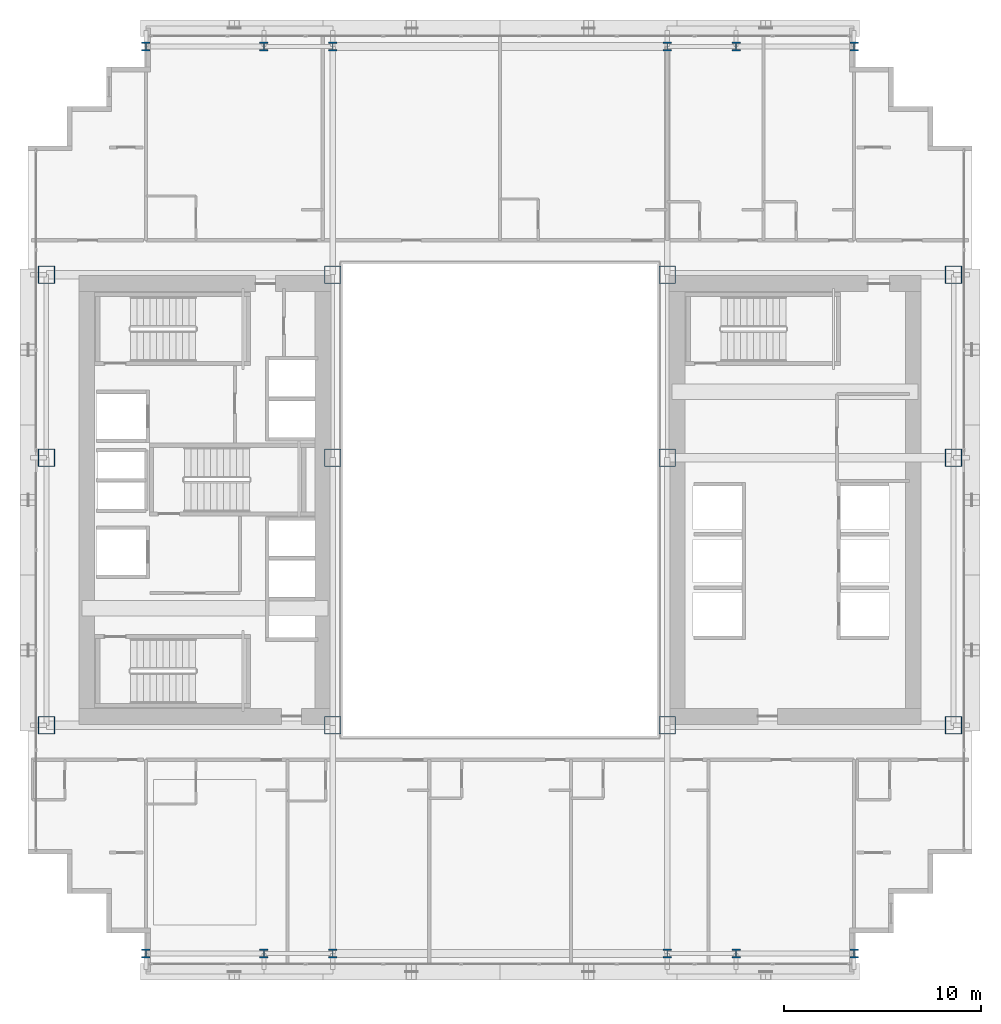
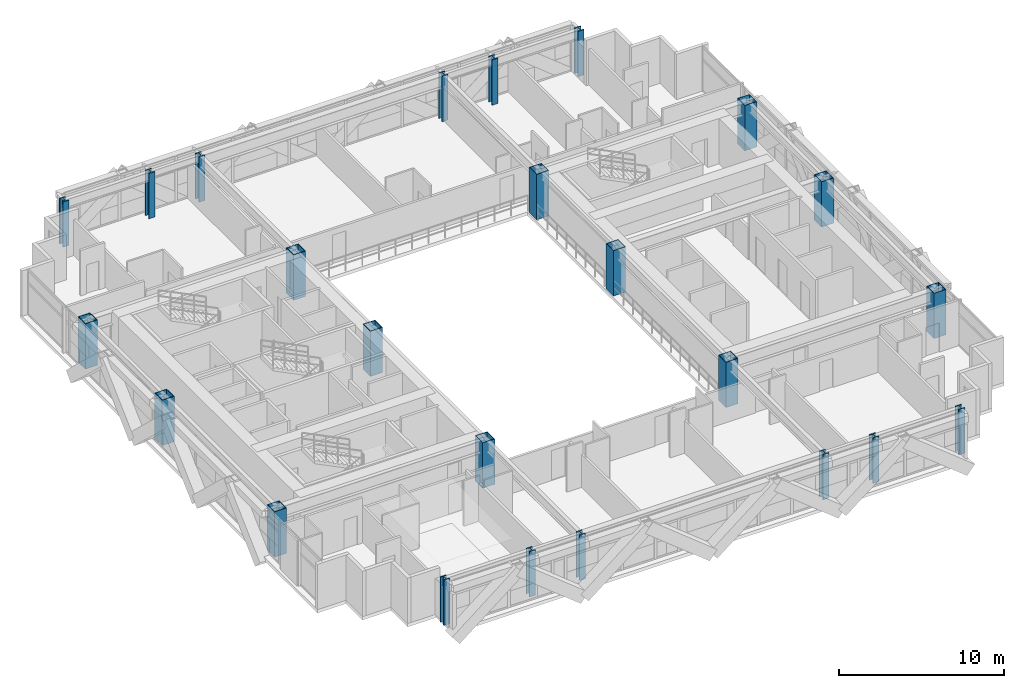
# One storey, part 1 of 35: 24 columns.
"""IFC4 building model written with IfcOpenShell, lengths in metres."""

from ifc_helpers import new_model, si_unit, direction, frame, origin, origin_2d, place, context, subcontext, project, spatial, hollow_rectangle, i_section, extrude, source, transform, mapped, material, material_profile, profile_set, type_object, element, save


model = new_model("IFC4")

# Units and contexts
model_context = context("Model", 3, precision=1e-05, world=origin(), true_north=direction((0.0, 1.0)))
body_context = subcontext(model_context, "Body", "Model", "MODEL_VIEW")
ifc_project = project(units=[si_unit("LENGTHUNIT", "METRE"), si_unit("AREAUNIT", "SQUARE_METRE"), si_unit("VOLUMEUNIT", "CUBIC_METRE"), si_unit("PLANEANGLEUNIT", "RADIAN"), si_unit("MASSUNIT", "GRAM", prefix="KILO")], contexts=[model_context])

# Site, building, storey
site_placement = place(None, origin())
site = spatial("IfcSite", under=ifc_project, at=site_placement, CompositionType="ELEMENT")
building_placement = place(site_placement, origin())
building = spatial("IfcBuilding", under=site, at=building_placement, Name="Ocotamira Hotel", CompositionType="ELEMENT")
storey_placement = place(building_placement, frame((0.0, 0.0, 78.0)))
storey = spatial("IfcBuildingStorey", under=building, at=storey_placement, Name="L19", CompositionType="ELEMENT", Elevation=78.0)

# Columns
ifc_material = material(Name="Steel ASTM A913 Grade 65", Category="steel")
ifc_material_profile_1 = material_profile(ifc_material, hollow_rectangle(XDim=0.85009765625, YDim=0.89990234375, WallThickness=0.0400390625, at=origin_2d()), Name="BOX900X850X40")
ifc_profile_set_1 = profile_set([ifc_material_profile_1], Name="Steel ASTM A913 Grade 65")
column_type_1 = type_object("IfcColumnType", Name="COL-BOX900", PredefinedType="COLUMN", material=ifc_profile_set_1)
shared_shape_1 = source(origin(), body_context, "Body", "SweptSolid", [
    extrude(hollow_rectangle(XDim=0.85009765625, YDim=0.89990234375, WallThickness=0.0400390625, at=origin_2d()), origin(), (0.0, 0.0, 1.0), 3.35009765625),
])
for number, where, z_axis, x_axis, name in (
    (1, (8.949951171875, 14.550048828125, 0.0), (0.0, 0.0, 1.0), (1.0, 0.0, 0.0), "L19 Column TW8_14"),
    (2, (23.5, 14.550048828125, 0.0), (0.0, 0.0, 1.0), (1.0, 0.0, 0.0), "L19 Column TW23_14"),
    (3, (40.5, 14.550048828125, 0.0), (0.0, 0.0, 1.0), (1.0, 0.0, 0.0), "L19 Column TE40_14"),
    (4, (55.050048828125, 14.550048828125, 0.0), (0.0, 0.0, 1.0), (1.0, 0.0, 0.0), "L19 Column TE55_14"),
    (5, (8.949951171875, 28.14990234375, 0.0), (0.0, 0.0, 1.0), (1.0, 0.0, 0.0), "L19 Column TW8_28"),
    (6, (23.5, 28.14990234375, 0.0), (0.0, 0.0, 1.0), (1.0, 0.0, 0.0), "L19 Column TW23_28"),
    (7, (40.5, 28.14990234375, 0.0), (0.0, 0.0, 1.0), (1.0, 0.0, 0.0), "L19 Column TE40_28"),
    (8, (55.050048828125, 28.14990234375, 0.0), (0.0, 0.0, 1.0), (1.0, 0.0, 0.0), "L19 Column TE55_28"),
    (9, (8.949951171875, 37.449951171875, 0.0), (0.0, 0.0, 1.0), (1.0, 0.0, 0.0), "L19 Column TW8_37"),
    (10, (23.5, 37.449951171875, 0.0), (0.0, 0.0, 1.0), (1.0, 0.0, 0.0), "L19 Column TW23_37"),
    (11, (40.5, 37.449951171875, 0.0), (0.0, 0.0, 1.0), (1.0, 0.0, 0.0), "L19 Column TE40_37"),
    (12, (55.050048828125, 37.449951171875, 0.0), (0.0, 0.0, 1.0), (1.0, 0.0, 0.0), "L19 Column TE55_37"),
):
    element("IfcColumn", number, at=place(storey_placement, frame(where, z_axis=z_axis, x_axis=x_axis)), inside=storey, type_object=column_type_1, Name=name, PredefinedType="COLUMN", context=body_context, shape_type="MappedRepresentation", body=[
        mapped(shared_shape_1, transform((0.0, 0.0, 0.0), scale=1.0)),
    ])
ifc_material_profile_2 = material_profile(ifc_material, i_section(OverallWidth=0.422119140625, OverallDepth=0.465087890625, WebThickness=0.044921875, FlangeThickness=0.072509765625, FilletRadius=0.02490234375, at=origin_2d()), Name="W14X398")
ifc_profile_set_2 = profile_set([ifc_material_profile_2], Name="Steel ASTM A913 Grade 65")
column_type_2 = type_object("IfcColumnType", Name="COL-W14X398", PredefinedType="COLUMN", material=ifc_profile_set_2)
shared_shape_2 = source(origin(), body_context, "Body", "SweptSolid", [
    extrude(i_section(OverallWidth=0.422119140625, OverallDepth=0.465087890625, WebThickness=0.044921875, FlangeThickness=0.072509765625, FilletRadius=0.02490234375, at=origin_2d()), origin(), (0.0, 0.0, 1.0), 3.35009765625),
])
for number, where, z_axis, x_axis, name in (
    (13, (14.0, 2.949951171875, 0.0), (0.0, 0.0, 1.0), (1.0, 0.0, 0.0), "L19 Column NSP1_14"),
    (14, (20.0, 2.949951171875, 0.0), (0.0, 0.0, 1.0), (1.0, 0.0, 0.0), "L19 Column NSP1_20"),
    (15, (23.5, 2.949951171875, 0.0), (0.0, 0.0, 1.0), (1.0, 0.0, 0.0), "L19 Column NSP1_23"),
    (16, (40.5, 2.949951171875, 0.0), (0.0, 0.0, 1.0), (1.0, 0.0, 0.0), "L19 Column NSP1_40"),
    (17, (44.0, 2.949951171875, 0.0), (0.0, 0.0, 1.0), (1.0, 0.0, 0.0), "L19 Column NSP1_44"),
    (18, (50.0, 2.949951171875, 0.0), (0.0, 0.0, 1.0), (1.0, 0.0, 0.0), "L19 Column NSP1_50"),
    (19, (14.0, 49.050048828125, 0.0), (0.0, 0.0, 1.0), (1.0, 0.0, 0.0), "L19 Column NSP2_14"),
    (20, (20.0, 49.050048828125, 0.0), (0.0, 0.0, 1.0), (1.0, 0.0, 0.0), "L19 Column NSP2_20"),
    (21, (23.5, 49.050048828125, 0.0), (0.0, 0.0, 1.0), (1.0, 0.0, 0.0), "L19 Column NSP2_23"),
    (22, (40.5, 49.050048828125, 0.0), (0.0, 0.0, 1.0), (1.0, 0.0, 0.0), "L19 Column NSP2_40"),
    (23, (44.0, 49.050048828125, 0.0), (0.0, 0.0, 1.0), (1.0, 0.0, 0.0), "L19 Column NSP2_44"),
    (24, (50.0, 49.050048828125, 0.0), (0.0, 0.0, 1.0), (1.0, 0.0, 0.0), "L19 Column NSP2_50"),
):
    element("IfcColumn", number, at=place(storey_placement, frame(where, z_axis=z_axis, x_axis=x_axis)), inside=storey, type_object=column_type_2, Name=name, PredefinedType="COLUMN", context=body_context, shape_type="MappedRepresentation", body=[
        mapped(shared_shape_2, transform((0.0, 0.0, 0.0), scale=1.0)),
    ])

save(model, "model.ifc")
